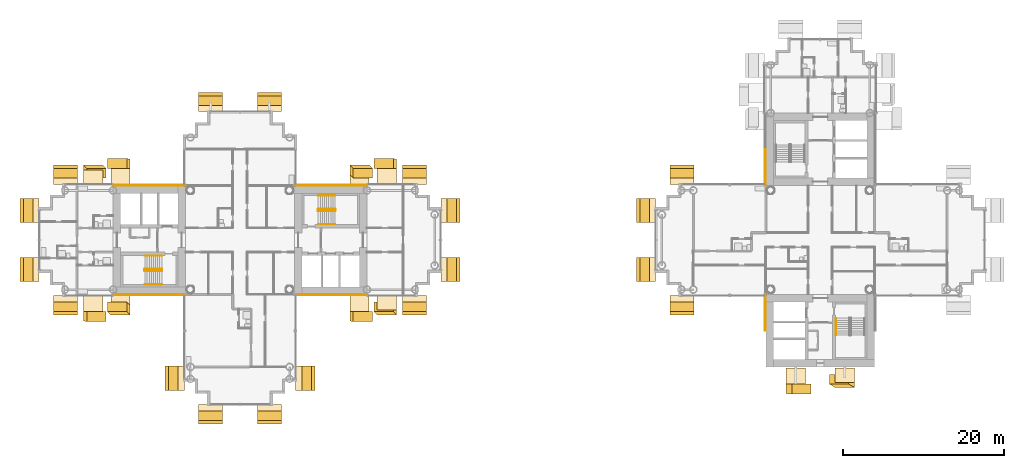
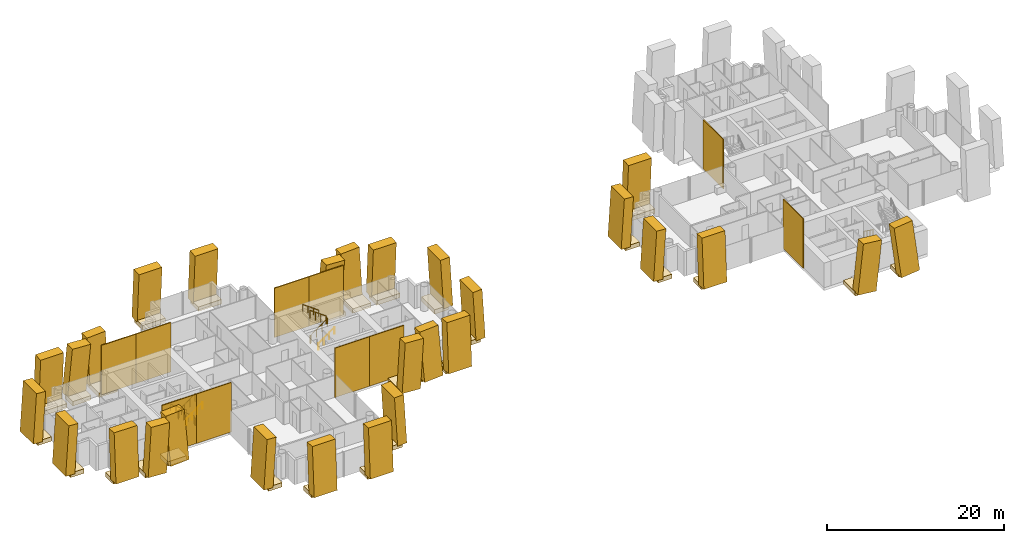
# One storey, part 19 of 21: 66 coverings, 7 railings.
"""IFC4 building model written with IfcOpenShell, lengths in metres."""

from ifc_helpers import new_model, si_unit, direction, frame, origin, origin_2d, place, context, subcontext, project, spatial, rectangle, circle, extrude, material, layer, layer_set, material_profile, profile_set, type_object, element, save


model = new_model("IFC4")

# Units and contexts
model_context = context("Model", 3, precision=1e-05, world=origin(), true_north=direction((0.0, 1.0)))
body_context = subcontext(model_context, "Body", "Model", "MODEL_VIEW")
ifc_project = project(units=[si_unit("LENGTHUNIT", "METRE"), si_unit("AREAUNIT", "SQUARE_METRE"), si_unit("VOLUMEUNIT", "CUBIC_METRE"), si_unit("PLANEANGLEUNIT", "RADIAN"), si_unit("MASSUNIT", "GRAM", prefix="KILO")], contexts=[model_context])

# Site, building, storey
site_placement = place(None, origin())
site = spatial("IfcSite", under=ifc_project, at=site_placement, CompositionType="ELEMENT")
building_placement = place(site_placement, origin())
building = spatial("IfcBuilding", under=site, at=building_placement, Name="Ipe Terrace Towers", CompositionType="ELEMENT")
storey_placement = place(building_placement, frame((0.0, 0.0, 80.0)))
storey = spatial("IfcBuildingStorey", under=building, at=storey_placement, Name="L21", CompositionType="ELEMENT", Elevation=80.0)

# Coverings
ifc_material_1 = material(Name="Concrete C50/60 precast, buff finish", Category="concrete")
ifc_layer = layer(ifc_material_1, 0.1201171875)
ifc_layer_set = layer_set([ifc_layer], Name="STONE CORE CLADDING 120")
covering_type_1 = type_object("IfcCoveringType", Name="STONE CORE CLADDING 120", PredefinedType="CLADDING", material=ifc_layer_set)
covering_1_placement = place(storey_placement, frame((-49.5009765625, -6.81005859375, 0.0), z_axis=(0.0, 0.0, 1.0), x_axis=(1.0, 0.0, 0.0)))
element("IfcCovering", 1, at=covering_1_placement, inside=storey, type_object=covering_type_1, Name="stone core cladding", PredefinedType="CLADDING", context=body_context, shape_type="SweptSolid", body=[
    extrude(rectangle(XDim=4.5009765625, YDim=0.1201171875, at=origin_2d()), origin(), (0.0, 0.0, 1.0), 6.800048828125),
])
covering_2_placement = place(storey_placement, frame((-45.0, -6.81005859375, 0.0), z_axis=(0.0, 0.0, 1.0), x_axis=(1.0, 0.0, 0.0)))
element("IfcCovering", 2, at=covering_2_placement, inside=storey, type_object=covering_type_1, Name="stone core cladding", PredefinedType="CLADDING", context=body_context, shape_type="SweptSolid", body=[
    extrude(rectangle(XDim=4.5, YDim=0.1201171875, at=origin_2d()), origin(), (0.0, 0.0, 1.0), 6.800048828125),
])
covering_3_placement = place(storey_placement, frame((-49.5009765625, 6.81005859375, 0.0), z_axis=(0.0, 0.0, 1.0), x_axis=(-1.0, 0.0, 0.0)))
element("IfcCovering", 3, at=covering_3_placement, inside=storey, type_object=covering_type_1, Name="stone core cladding", PredefinedType="CLADDING", context=body_context, shape_type="SweptSolid", body=[
    extrude(rectangle(XDim=4.5009765625, YDim=0.1201171875, at=origin_2d()), origin(), (0.0, 0.0, 1.0), 6.800048828125),
])
for number, where, z_axis, x_axis, name in (
    (4, (-45.0, 6.81005859375, 0.0), (0.0, 0.0, 1.0), (-1.0, 0.0, 0.0), "stone core cladding"),
    (5, (-27.0, -6.81005859375, 0.0), (0.0, 0.0, 1.0), (1.0, 0.0, 0.0), "stone core cladding"),
):
    element("IfcCovering", number, at=place(storey_placement, frame(where, z_axis=z_axis, x_axis=x_axis)), inside=storey, type_object=covering_type_1, Name=name, PredefinedType="CLADDING", context=body_context, shape_type="SweptSolid", body=[
        extrude(rectangle(XDim=4.5, YDim=0.1201171875, at=origin_2d()), origin(), (0.0, 0.0, 1.0), 6.800048828125),
    ])
covering_4_placement = place(storey_placement, frame((-22.4990234375, -6.81005859375, 0.0), z_axis=(0.0, 0.0, 1.0), x_axis=(1.0, 0.0, 0.0)))
element("IfcCovering", 6, at=covering_4_placement, inside=storey, type_object=covering_type_1, Name="stone core cladding", PredefinedType="CLADDING", context=body_context, shape_type="SweptSolid", body=[
    extrude(rectangle(XDim=4.5009765625, YDim=0.1201171875, at=origin_2d()), origin(), (0.0, 0.0, 1.0), 6.800048828125),
])
covering_5_placement = place(storey_placement, frame((-27.0, 6.81005859375, 0.0), z_axis=(0.0, 0.0, 1.0), x_axis=(-1.0, 0.0, 0.0)))
element("IfcCovering", 7, at=covering_5_placement, inside=storey, type_object=covering_type_1, Name="stone core cladding", PredefinedType="CLADDING", context=body_context, shape_type="SweptSolid", body=[
    extrude(rectangle(XDim=4.5, YDim=0.1201171875, at=origin_2d()), origin(), (0.0, 0.0, 1.0), 6.800048828125),
])
covering_6_placement = place(storey_placement, frame((-22.4990234375, 6.81005859375, 0.0), z_axis=(0.0, 0.0, 1.0), x_axis=(-1.0, 0.0, 0.0)))
element("IfcCovering", 8, at=covering_6_placement, inside=storey, type_object=covering_type_1, Name="stone core cladding", PredefinedType="CLADDING", context=body_context, shape_type="SweptSolid", body=[
    extrude(rectangle(XDim=4.5009765625, YDim=0.1201171875, at=origin_2d()), origin(), (0.0, 0.0, 1.0), 6.800048828125),
])
for number, where, z_axis, x_axis, name in (
    (9, (29.18994140625, -9.0, 0.0), (0.0, 0.0, 1.0), (0.0, -1.0, 0.0), "stone core cladding"),
    (10, (29.18994140625, 9.0, 0.0), (0.0, 0.0, 1.0), (0.0, -1.0, 0.0), "stone core cladding"),
):
    element("IfcCovering", number, at=place(storey_placement, frame(where, z_axis=z_axis, x_axis=x_axis)), inside=storey, type_object=covering_type_1, Name=name, PredefinedType="CLADDING", context=body_context, shape_type="SweptSolid", body=[
        extrude(rectangle(XDim=4.5, YDim=0.1201171875, at=origin_2d()), origin(), (0.0, 0.0, 1.0), 6.800048828125),
    ])
ifc_material_2 = material(Name="Concrete C50/60 precast, buff finish", Category="concrete")
ifc_material_profile_1 = material_profile(ifc_material_2, rectangle(XDim=2.39990234375, YDim=1.199951171875, at=origin_2d()), Name="STONE FIN 2400 x 1200")
ifc_profile_set_1 = profile_set([ifc_material_profile_1], Name="Concrete C50/60 precast, buff finish")
covering_type_2 = type_object("IfcCoveringType", Name="STONE FIN 2400 x 1200", PredefinedType="USERDEFINED", material=ifc_profile_set_1)
covering_7_placement = place(storey_placement, frame((-21.1640625, -9.47509765625, 0.0), z_axis=(0.057992818801, -0.00189964116, 0.998315192878), x_axis=(0.99831700024, 0.000110351273, -0.057992713811)))
element("IfcCovering", 11, at=covering_7_placement, inside=storey, type_object=covering_type_2, Name="stone fin", ObjectType="FIN", PredefinedType="USERDEFINED", context=body_context, shape_type="SweptSolid", body=[
    extrude(rectangle(XDim=2.39990234375, YDim=1.199951171875, at=origin_2d()), origin(), (0.0, 0.0, 1.0), 6.8115234375),
])
for number, where, z_axis, x_axis, name in (
    (12, (-21.1640625, 8.701904296875, 0.0), (0.057886195725, -0.060640977599, 0.996479733954), (-0.998323188324, -0.003516171448, 0.057779305931), "stone fin"),
    (13, (-17.785888671875, -8.701904296875, 0.0), (-0.057886195725, 0.060640977599, 0.996479733954), (0.998323188324, 0.003516171448, 0.057779305931), "stone fin"),
):
    element("IfcCovering", number, at=place(storey_placement, frame(where, z_axis=z_axis, x_axis=x_axis)), inside=storey, type_object=covering_type_2, Name=name, ObjectType="FIN", PredefinedType="USERDEFINED", context=body_context, shape_type="SweptSolid", body=[
        extrude(rectangle(XDim=2.39990234375, YDim=1.199951171875, at=origin_2d()), origin(), (0.0, 0.0, 1.0), 6.823974609375),
    ])
for number, where, z_axis, x_axis, name in (
    (14, (-17.785888671875, 9.47509765625, 0.0), (-0.057992818801, 0.00189964116, 0.998315192878), (-0.99831700024, -0.000110351273, -0.057992713811), "stone fin"),
    (15, (-54.214111328125, -9.47509765625, 0.0), (0.057992818801, -0.00189964116, 0.998315192878), (0.99831700024, 0.000110351273, -0.057992713811), "stone fin"),
):
    element("IfcCovering", number, at=place(storey_placement, frame(where, z_axis=z_axis, x_axis=x_axis)), inside=storey, type_object=covering_type_2, Name=name, ObjectType="FIN", PredefinedType="USERDEFINED", context=body_context, shape_type="SweptSolid", body=[
        extrude(rectangle(XDim=2.39990234375, YDim=1.199951171875, at=origin_2d()), origin(), (0.0, 0.0, 1.0), 6.8115234375),
    ])
for number, where, z_axis, x_axis, name in (
    (16, (-54.214111328125, 8.701904296875, 0.0), (0.057886195725, -0.060640977599, 0.996479733954), (-0.998323188324, -0.003516171448, 0.057779305931), "stone fin"),
    (17, (-50.8359375, -8.701904296875, 0.0), (-0.057886195725, 0.060640977599, 0.996479733954), (0.998323188324, 0.003516171448, 0.057779305931), "stone fin"),
):
    element("IfcCovering", number, at=place(storey_placement, frame(where, z_axis=z_axis, x_axis=x_axis)), inside=storey, type_object=covering_type_2, Name=name, ObjectType="FIN", PredefinedType="USERDEFINED", context=body_context, shape_type="SweptSolid", body=[
        extrude(rectangle(XDim=2.39990234375, YDim=1.199951171875, at=origin_2d()), origin(), (0.0, 0.0, 1.0), 6.823974609375),
    ])
covering_8_placement = place(storey_placement, frame((-50.8359375, 9.47509765625, 0.0), z_axis=(-0.057992818801, 0.00189964116, 0.998315192878), x_axis=(-0.99831700024, -0.000110351273, -0.057992713811)))
element("IfcCovering", 18, at=covering_8_placement, inside=storey, type_object=covering_type_2, Name="stone fin", ObjectType="FIN", PredefinedType="USERDEFINED", context=body_context, shape_type="SweptSolid", body=[
    extrude(rectangle(XDim=2.39990234375, YDim=1.199951171875, at=origin_2d()), origin(), (0.0, 0.0, 1.0), 6.8115234375),
])
covering_9_placement = place(storey_placement, frame((39.053955078125, -17.701904296875, 0.0), z_axis=(-0.104215280631, 0.060412072732, 0.992718266555), x_axis=(0.994554762335, 0.006330331276, 0.104022841832)))
element("IfcCovering", 19, at=covering_9_placement, inside=storey, type_object=covering_type_2, Name="stone fin", ObjectType="FIN", PredefinedType="USERDEFINED", context=body_context, shape_type="SweptSolid", body=[
    extrude(rectangle(XDim=2.39990234375, YDim=1.199951171875, at=origin_2d()), origin(), (0.0, 0.0, 1.0), 6.849853515625),
])
covering_10_placement = place(storey_placement, frame((32.946044921875, -18.47509765625, 0.0), z_axis=(0.104405788816, -0.001892444189, 0.994532980809), x_axis=(0.994534781323, 0.000198667893, -0.104405599799)))
element("IfcCovering", 20, at=covering_10_placement, inside=storey, type_object=covering_type_2, Name="stone fin", ObjectType="FIN", PredefinedType="USERDEFINED", context=body_context, shape_type="SweptSolid", body=[
    extrude(rectangle(XDim=2.39990234375, YDim=1.199951171875, at=origin_2d()), origin(), (0.0, 0.0, 1.0), 6.83740234375),
])
ifc_material_3 = material(Name="Concrete C50/60 precast, buff finish", Category="concrete")
ifc_material_profile_2 = material_profile(ifc_material_3, rectangle(XDim=3.0, YDim=1.199951171875, at=origin_2d()), Name="STONE FIN CORNER 3000 x 1200")
ifc_profile_set_2 = profile_set([ifc_material_profile_2], Name="Concrete C50/60 precast, buff finish")
covering_type_3 = type_object("IfcCoveringType", Name="STONE FIN CORNER 3000 x 1200", PredefinedType="USERDEFINED", material=ifc_profile_set_2)
for number, where, z_axis, x_axis, name in (
    (21, (-9.298095703125, -3.64990234375, 0.0), (-0.060742831888, 0.0, 0.998153449312), (0.0, 1.0, 0.0), "stone fin"),
    (22, (-9.298095703125, 3.64990234375, 0.0), (-0.060742831888, 0.0, 0.998153449312), (0.0, 1.0, 0.0), "stone fin"),
    (23, (-14.35009765625, -8.701904296875, 0.0), (0.0, 0.060742831888, 0.998153449312), (1.0, 0.0, 0.0), "stone fin"),
    (24, (-14.35009765625, 8.701904296875, 0.0), (0.0, -0.060742831888, 0.998153449312), (-1.0, 0.0, 0.0), "stone fin"),
    (25, (-27.298095703125, -17.14990234375, 0.0), (-0.060742831888, 0.0, 0.998153449312), (0.0, 1.0, 0.0), "stone fin"),
    (26, (-32.35009765625, -22.201904296875, 0.0), (0.0, 0.060742831888, 0.998153449312), (1.0, 0.0, 0.0), "stone fin"),
    (27, (-32.35009765625, 17.701904296875, 0.0), (0.0, -0.060742831888, 0.998153449312), (-1.0, 0.0, 0.0), "stone fin"),
    (28, (-39.64990234375, -22.201904296875, 0.0), (0.0, 0.060742831888, 0.998153449312), (1.0, 0.0, 0.0), "stone fin"),
    (29, (-39.64990234375, 17.701904296875, 0.0), (0.0, -0.060742831888, 0.998153449312), (-1.0, 0.0, 0.0), "stone fin"),
    (30, (-44.701904296875, -17.14990234375, 0.0), (0.060742831888, 0.0, 0.998153449312), (0.0, -1.0, 0.0), "stone fin"),
    (31, (-57.64990234375, -8.701904296875, 0.0), (0.0, 0.060742831888, 0.998153449312), (1.0, 0.0, 0.0), "stone fin"),
    (32, (-57.64990234375, 8.701904296875, 0.0), (0.0, -0.060742831888, 0.998153449312), (-1.0, 0.0, 0.0), "stone fin"),
    (33, (-62.701904296875, -3.64990234375, 0.0), (0.060742831888, 0.0, 0.998153449312), (0.0, -1.0, 0.0), "stone fin"),
    (34, (-62.701904296875, 3.64990234375, 0.0), (0.060742831888, 0.0, 0.998153449312), (0.0, -1.0, 0.0), "stone fin"),
    (35, (13.798095703125, -3.64990234375, 0.0), (0.060742831888, 0.0, 0.998153449312), (0.0, -1.0, 0.0), "stone fin"),
    (36, (13.798095703125, 3.64990234375, 0.0), (0.060742831888, 0.0, 0.998153449312), (0.0, -1.0, 0.0), "stone fin"),
    (37, (18.85009765625, -8.701904296875, 0.0), (0.0, 0.060742831888, 0.998153449312), (1.0, 0.0, 0.0), "stone fin"),
    (38, (18.85009765625, 8.701904296875, 0.0), (0.0, -0.060742831888, 0.998153449312), (-1.0, 0.0, 0.0), "stone fin"),
):
    element("IfcCovering", number, at=place(storey_placement, frame(where, z_axis=z_axis, x_axis=x_axis)), inside=storey, type_object=covering_type_3, Name=name, ObjectType="FIN", PredefinedType="USERDEFINED", context=body_context, shape_type="SweptSolid", body=[
        extrude(rectangle(XDim=3.0, YDim=1.199951171875, at=origin_2d()), origin(), (0.0, 0.0, 1.0), 6.812744140625),
    ])
ifc_material_4 = material(Name="Concrete C50/60 precast, buff finish", Category="concrete")
covering_type_4 = type_object("IfcCoveringType", Name="STONE FIN SHELF 2400 x 600", PredefinedType="CLADDING", material=ifc_material_4)
covering_11_placement = place(storey_placement, frame((-21.1640625, -8.16796875, -0.35009765625), z_axis=(0.0, 0.0, 1.0), x_axis=(1.0, 0.0, 0.0)))
element("IfcCovering", 39, at=covering_11_placement, inside=storey, type_object=covering_type_4, Name="stone fin shelf", PredefinedType="CLADDING", context=body_context, shape_type="SweptSolid", body=[
    extrude(rectangle(XDim=2.39990234375, YDim=2.614990234375, at=origin_2d()), origin(), (0.0, 0.0, 1.0), 0.60009765625),
])
covering_12_placement = place(storey_placement, frame((-21.1640625, 7.781005859375, -0.35009765625), z_axis=(0.0, 0.0, 1.0), x_axis=(-1.0, 0.0, 0.0)))
element("IfcCovering", 40, at=covering_12_placement, inside=storey, type_object=covering_type_4, Name="stone fin shelf", PredefinedType="CLADDING", context=body_context, shape_type="SweptSolid", body=[
    extrude(rectangle(XDim=2.39990234375, YDim=1.842041015625, at=origin_2d()), origin(), (0.0, 0.0, 1.0), 0.60009765625),
])
covering_13_placement = place(storey_placement, frame((-17.785888671875, -7.80908203125, -0.35009765625), z_axis=(0.0, 0.0, 1.0), x_axis=(1.0, 0.0, 0.0)))
element("IfcCovering", 41, at=covering_13_placement, inside=storey, type_object=covering_type_4, Name="stone fin shelf", PredefinedType="CLADDING", context=body_context, shape_type="SweptSolid", body=[
    extrude(rectangle(XDim=2.39990234375, YDim=1.785888671875, at=origin_2d()), origin(), (0.0, 0.0, 1.0), 0.60009765625),
])
for number, where, z_axis, x_axis, name in (
    (42, (-17.785888671875, 8.195068359375, -0.35009765625), (0.0, 0.0, 1.0), (-1.0, 0.0, 0.0), "stone fin shelf"),
    (43, (-54.214111328125, -8.195068359375, -0.35009765625), (0.0, 0.0, 1.0), (1.0, 0.0, 0.0), "stone fin shelf"),
):
    element("IfcCovering", number, at=place(storey_placement, frame(where, z_axis=z_axis, x_axis=x_axis)), inside=storey, type_object=covering_type_4, Name=name, PredefinedType="CLADDING", context=body_context, shape_type="SweptSolid", body=[
        extrude(rectangle(XDim=2.39990234375, YDim=2.55908203125, at=origin_2d()), origin(), (0.0, 0.0, 1.0), 0.60009765625),
    ])
covering_14_placement = place(storey_placement, frame((-54.214111328125, 7.80908203125, -0.35009765625), z_axis=(0.0, 0.0, 1.0), x_axis=(-1.0, 0.0, 0.0)))
element("IfcCovering", 44, at=covering_14_placement, inside=storey, type_object=covering_type_4, Name="stone fin shelf", PredefinedType="CLADDING", context=body_context, shape_type="SweptSolid", body=[
    extrude(rectangle(XDim=2.39990234375, YDim=1.785888671875, at=origin_2d()), origin(), (0.0, 0.0, 1.0), 0.60009765625),
])
covering_15_placement = place(storey_placement, frame((-50.8359375, -7.781005859375, -0.35009765625), z_axis=(0.0, 0.0, 1.0), x_axis=(1.0, 0.0, 0.0)))
element("IfcCovering", 45, at=covering_15_placement, inside=storey, type_object=covering_type_4, Name="stone fin shelf", PredefinedType="CLADDING", context=body_context, shape_type="SweptSolid", body=[
    extrude(rectangle(XDim=2.39990234375, YDim=1.842041015625, at=origin_2d()), origin(), (0.0, 0.0, 1.0), 0.60009765625),
])
covering_16_placement = place(storey_placement, frame((-50.8359375, 8.16796875, -0.35009765625), z_axis=(0.0, 0.0, 1.0), x_axis=(-1.0, 0.0, 0.0)))
element("IfcCovering", 46, at=covering_16_placement, inside=storey, type_object=covering_type_4, Name="stone fin shelf", PredefinedType="CLADDING", context=body_context, shape_type="SweptSolid", body=[
    extrude(rectangle(XDim=2.39990234375, YDim=2.614990234375, at=origin_2d()), origin(), (0.0, 0.0, 1.0), 0.60009765625),
])
covering_17_placement = place(storey_placement, frame((39.053955078125, -16.781005859375, -0.35009765625), z_axis=(0.0, 0.0, 1.0), x_axis=(1.0, 0.0, 0.0)))
element("IfcCovering", 47, at=covering_17_placement, inside=storey, type_object=covering_type_4, Name="stone fin shelf", PredefinedType="CLADDING", context=body_context, shape_type="SweptSolid", body=[
    extrude(rectangle(XDim=2.39990234375, YDim=1.842041015625, at=origin_2d()), origin(), (0.0, 0.0, 1.0), 0.60009765625),
])
covering_18_placement = place(storey_placement, frame((32.946044921875, -17.16796875, -0.35009765625), z_axis=(0.0, 0.0, 1.0), x_axis=(1.0, 0.0, 0.0)))
element("IfcCovering", 48, at=covering_18_placement, inside=storey, type_object=covering_type_4, Name="stone fin shelf", PredefinedType="CLADDING", context=body_context, shape_type="SweptSolid", body=[
    extrude(rectangle(XDim=2.39990234375, YDim=2.614990234375, at=origin_2d()), origin(), (0.0, 0.0, 1.0), 0.60009765625),
])
ifc_material_5 = material(Name="Concrete C50/60 precast, buff finish", Category="concrete")
covering_type_5 = type_object("IfcCoveringType", Name="STONE FIN SHELF 3000 x 600", PredefinedType="CLADDING", material=ifc_material_5)
for number, where, z_axis, x_axis, name in (
    (49, (-10.19091796875, -3.64990234375, -0.35009765625), (0.0, 0.0, 1.0), (0.0, 1.0, 0.0), "stone fin shelf"),
    (50, (-10.19091796875, 3.64990234375, -0.35009765625), (0.0, 0.0, 1.0), (0.0, 1.0, 0.0), "stone fin shelf"),
    (51, (-14.35009765625, -7.80908203125, -0.35009765625), (0.0, 0.0, 1.0), (1.0, 0.0, 0.0), "stone fin shelf"),
    (52, (-14.35009765625, 7.80908203125, -0.35009765625), (0.0, 0.0, 1.0), (-1.0, 0.0, 0.0), "stone fin shelf"),
    (53, (-28.19091796875, -17.14990234375, -0.35009765625), (0.0, 0.0, 1.0), (0.0, 1.0, 0.0), "stone fin shelf"),
    (54, (-32.35009765625, -21.30908203125, -0.35009765625), (0.0, 0.0, 1.0), (1.0, 0.0, 0.0), "stone fin shelf"),
    (55, (-32.35009765625, 16.80908203125, -0.35009765625), (0.0, 0.0, 1.0), (-1.0, 0.0, 0.0), "stone fin shelf"),
    (56, (-39.64990234375, -21.30908203125, -0.35009765625), (0.0, 0.0, 1.0), (1.0, 0.0, 0.0), "stone fin shelf"),
    (57, (-39.64990234375, 16.80908203125, -0.35009765625), (0.0, 0.0, 1.0), (-1.0, 0.0, 0.0), "stone fin shelf"),
    (58, (-43.80908203125, -17.14990234375, -0.35009765625), (0.0, 0.0, 1.0), (0.0, -1.0, 0.0), "stone fin shelf"),
    (59, (-57.64990234375, -7.80908203125, -0.35009765625), (0.0, 0.0, 1.0), (1.0, 0.0, 0.0), "stone fin shelf"),
    (60, (-57.64990234375, 7.80908203125, -0.35009765625), (0.0, 0.0, 1.0), (-1.0, 0.0, 0.0), "stone fin shelf"),
    (61, (-61.80908203125, -3.64990234375, -0.35009765625), (0.0, 0.0, 1.0), (0.0, -1.0, 0.0), "stone fin shelf"),
    (62, (-61.80908203125, 3.64990234375, -0.35009765625), (0.0, 0.0, 1.0), (0.0, -1.0, 0.0), "stone fin shelf"),
    (63, (14.69091796875, -3.64990234375, -0.35009765625), (0.0, 0.0, 1.0), (0.0, -1.0, 0.0), "stone fin shelf"),
    (64, (14.69091796875, 3.64990234375, -0.35009765625), (0.0, 0.0, 1.0), (0.0, -1.0, 0.0), "stone fin shelf"),
    (65, (18.85009765625, -7.80908203125, -0.35009765625), (0.0, 0.0, 1.0), (1.0, 0.0, 0.0), "stone fin shelf"),
    (66, (18.85009765625, 7.80908203125, -0.35009765625), (0.0, 0.0, 1.0), (-1.0, 0.0, 0.0), "stone fin shelf"),
):
    element("IfcCovering", number, at=place(storey_placement, frame(where, z_axis=z_axis, x_axis=x_axis)), inside=storey, type_object=covering_type_5, Name=name, PredefinedType="CLADDING", context=body_context, shape_type="SweptSolid", body=[
        extrude(rectangle(XDim=3.0, YDim=1.785888671875, at=origin_2d()), origin(), (0.0, 0.0, 1.0), 0.60009765625),
    ])

# Railings
ifc_material_6 = material(Name="Steel S355", Category="steel")
railing_type_1 = type_object("IfcRailingType", Name="Stair guard 1100", PredefinedType="GUARDRAIL", material=ifc_material_6)
railing_1_placement = place(storey_placement, frame((-26.35009765625, 3.800048828125, 0.0)))
element("IfcRailing", 67, at=railing_1_placement, inside=storey, type_object=railing_type_1, Name="L21 T1-ST1 stair guard 1", PredefinedType="GUARDRAIL", context=body_context, shape_type="SweptSolid", body=[
    extrude(circle(Radius=0.02392578125, at=origin_2d()), frame((0.0, 0.0, 1.076171875), z_axis=(0.0, -1.0, 0.0), x_axis=(1.0, 0.0, 0.0)), (0.0, 0.0, 1.0), 0.150146484375),
    extrude(circle(Radius=0.02392578125, at=origin_2d()), frame((0.0, -0.150146484375, 1.076171875), z_axis=(0.248103849378, -0.246893586699, 0.936743314239), x_axis=(0.705375805398, 0.708833529934, 0.0)), (0.0, 0.0, 1.0), 0.20166015625),
    extrude(circle(Radius=0.02392578125, at=origin_2d()), frame((0.050048828125, -0.199951171875, 1.26513671875), z_axis=(0.809068575486, 0.0, 0.587714250432), x_axis=(0.0, 1.0, 0.0)), (0.0, 0.0, 1.0), 2.571044921875),
    extrude(circle(Radius=0.02392578125, at=origin_2d()), frame((2.130126953125, -0.199951171875, 2.77587890625), z_axis=(0.708833529934, 0.705375805398, 0.0), x_axis=(-0.705375805398, 0.708833529934, 0.0)), (0.0, 0.0, 1.0), 0.070556640625),
    extrude(circle(Radius=0.02392578125, at=origin_2d()), frame((2.18017578125, -0.150146484375, 2.77587890625), z_axis=(0.0, 1.0, 0.0), x_axis=(-1.0, 0.0, 0.0)), (0.0, 0.0, 1.0), 0.150146484375),
    extrude(circle(Radius=0.02392578125, at=origin_2d()), frame((2.18017578125, 0.0, 2.77587890625), z_axis=(-0.248029566107, 0.248029566107, 0.936462849596), x_axis=(-0.707106781187, -0.707106781187, 0.0)), (0.0, 0.0, 1.0), 0.201904296875),
    extrude(circle(Radius=0.02392578125, at=origin_2d()), frame((2.130126953125, 0.050048828125, 2.96484375), z_axis=(-0.809068575486, 0.0, 0.587714250432), x_axis=(0.0, -1.0, 0.0)), (0.0, 0.0, 1.0), 2.571044921875),
    extrude(circle(Radius=0.02099609375, at=origin_2d()), origin(), (0.0, 0.0, 1.0), 1.052001953125),
    extrude(circle(Radius=0.02099609375, at=origin_2d()), frame((0.0, -0.150146484375, 0.0)), (0.0, 0.0, 1.0), 1.052001953125),
    extrude(circle(Radius=0.02099609375, at=origin_2d()), frame((0.050048828125, -0.199951171875, 0.18896484375)), (0.0, 0.0, 1.0), 1.052001953125),
    extrude(circle(Radius=0.02099609375, at=origin_2d()), frame((0.743408203125, -0.199951171875, 0.692626953125)), (0.0, 0.0, 1.0), 1.052001953125),
    extrude(circle(Radius=0.02099609375, at=origin_2d()), frame((1.436767578125, -0.199951171875, 1.1962890625)), (0.0, 0.0, 1.0), 1.052001953125),
    extrude(circle(Radius=0.02099609375, at=origin_2d()), frame((2.130126953125, -0.199951171875, 1.699951171875)), (0.0, 0.0, 1.0), 1.052001953125),
    extrude(circle(Radius=0.02099609375, at=origin_2d()), frame((2.18017578125, -0.150146484375, 1.699951171875)), (0.0, 0.0, 1.0), 1.052001953125),
    extrude(circle(Radius=0.02099609375, at=origin_2d()), frame((2.18017578125, 0.0, 1.699951171875)), (0.0, 0.0, 1.0), 1.052001953125),
    extrude(circle(Radius=0.02099609375, at=origin_2d()), frame((2.130126953125, 0.050048828125, 1.888916015625)), (0.0, 0.0, 1.0), 1.052001953125),
    extrude(circle(Radius=0.02099609375, at=origin_2d()), frame((1.436767578125, 0.050048828125, 2.392578125)), (0.0, 0.0, 1.0), 1.052001953125),
    extrude(circle(Radius=0.02099609375, at=origin_2d()), frame((0.743408203125, 0.050048828125, 2.896240234375)), (0.0, 0.0, 1.0), 1.052001953125),
    extrude(circle(Radius=0.02099609375, at=origin_2d()), frame((0.050048828125, 0.050048828125, 3.39990234375)), (0.0, 0.0, 1.0), 1.052001953125),
])
railing_2_placement = place(storey_placement, frame((-45.64990234375, -3.800048828125, 0.0)))
element("IfcRailing", 68, at=railing_2_placement, inside=storey, type_object=railing_type_1, Name="L21 T1-ST2 stair guard 1", PredefinedType="GUARDRAIL", context=body_context, shape_type="SweptSolid", body=[
    extrude(circle(Radius=0.02392578125, at=origin_2d()), frame((0.0, 0.0, 1.076171875), z_axis=(0.0, 1.0, 0.0), x_axis=(-1.0, 0.0, 0.0)), (0.0, 0.0, 1.0), 0.150146484375),
    extrude(circle(Radius=0.02392578125, at=origin_2d()), frame((0.0, 0.150146484375, 1.076171875), z_axis=(-0.248103849378, 0.246893586699, 0.936743314239), x_axis=(-0.705375805398, -0.708833529934, 0.0)), (0.0, 0.0, 1.0), 0.20166015625),
    extrude(circle(Radius=0.02392578125, at=origin_2d()), frame((-0.050048828125, 0.199951171875, 1.26513671875), z_axis=(-0.809068575486, 0.0, 0.587714250432), x_axis=(0.0, -1.0, 0.0)), (0.0, 0.0, 1.0), 2.571044921875),
    extrude(circle(Radius=0.02392578125, at=origin_2d()), frame((-2.130126953125, 0.199951171875, 2.77587890625), z_axis=(-0.708833529934, -0.705375805398, 0.0), x_axis=(0.705375805398, -0.708833529934, 0.0)), (0.0, 0.0, 1.0), 0.070556640625),
    extrude(circle(Radius=0.02392578125, at=origin_2d()), frame((-2.18017578125, 0.150146484375, 2.77587890625), z_axis=(0.0, -1.0, 0.0), x_axis=(1.0, 0.0, 0.0)), (0.0, 0.0, 1.0), 0.150146484375),
    extrude(circle(Radius=0.02392578125, at=origin_2d()), frame((-2.18017578125, 0.0, 2.77587890625), z_axis=(0.248029566107, -0.248029566107, 0.936462849596), x_axis=(0.707106781187, 0.707106781187, 0.0)), (0.0, 0.0, 1.0), 0.201904296875),
    extrude(circle(Radius=0.02392578125, at=origin_2d()), frame((-2.130126953125, -0.050048828125, 2.96484375), z_axis=(0.809068575486, 0.0, 0.587714250432), x_axis=(0.0, 1.0, 0.0)), (0.0, 0.0, 1.0), 2.571044921875),
    extrude(circle(Radius=0.02099609375, at=origin_2d()), origin(), (0.0, 0.0, 1.0), 1.052001953125),
    extrude(circle(Radius=0.02099609375, at=origin_2d()), frame((0.0, 0.150146484375, 0.0)), (0.0, 0.0, 1.0), 1.052001953125),
    extrude(circle(Radius=0.02099609375, at=origin_2d()), frame((-0.050048828125, 0.199951171875, 0.18896484375)), (0.0, 0.0, 1.0), 1.052001953125),
    extrude(circle(Radius=0.02099609375, at=origin_2d()), frame((-0.743408203125, 0.199951171875, 0.692626953125)), (0.0, 0.0, 1.0), 1.052001953125),
    extrude(circle(Radius=0.02099609375, at=origin_2d()), frame((-1.436767578125, 0.199951171875, 1.1962890625)), (0.0, 0.0, 1.0), 1.052001953125),
    extrude(circle(Radius=0.02099609375, at=origin_2d()), frame((-2.130126953125, 0.199951171875, 1.699951171875)), (0.0, 0.0, 1.0), 1.052001953125),
    extrude(circle(Radius=0.02099609375, at=origin_2d()), frame((-2.18017578125, 0.150146484375, 1.699951171875)), (0.0, 0.0, 1.0), 1.052001953125),
    extrude(circle(Radius=0.02099609375, at=origin_2d()), frame((-2.18017578125, 0.0, 1.699951171875)), (0.0, 0.0, 1.0), 1.052001953125),
    extrude(circle(Radius=0.02099609375, at=origin_2d()), frame((-2.130126953125, -0.050048828125, 1.888916015625)), (0.0, 0.0, 1.0), 1.052001953125),
    extrude(circle(Radius=0.02099609375, at=origin_2d()), frame((-1.436767578125, -0.050048828125, 2.392578125)), (0.0, 0.0, 1.0), 1.052001953125),
    extrude(circle(Radius=0.02099609375, at=origin_2d()), frame((-0.743408203125, -0.050048828125, 2.896240234375)), (0.0, 0.0, 1.0), 1.052001953125),
    extrude(circle(Radius=0.02099609375, at=origin_2d()), frame((-0.050048828125, -0.050048828125, 3.39990234375)), (0.0, 0.0, 1.0), 1.052001953125),
])
ifc_material_7 = material(Name="Stainless steel grade 304", Category="steel")
railing_type_2 = type_object("IfcRailingType", Name="Stair handrail 900", PredefinedType="HANDRAIL", material=ifc_material_7)
railing_3_placement = place(storey_placement, frame((-26.300048828125, 1.949951171875, 0.18896484375)))
element("IfcRailing", 69, at=railing_3_placement, inside=storey, type_object=railing_type_2, Name="L21 T1-ST1 stair handrail 1", PredefinedType="HANDRAIL", context=body_context, shape_type="SweptSolid", body=[
    extrude(circle(Radius=0.02392578125, at=origin_2d()), frame((0.0, 0.0, 0.8759765625), z_axis=(0.809068575486, 0.0, 0.587714250432), x_axis=(0.0, 1.0, 0.0)), (0.0, 0.0, 1.0), 2.571044921875),
    extrude(circle(Radius=0.02099609375, at=origin_2d()), origin(), (0.0, 0.0, 1.0), 0.851806640625),
    extrude(circle(Radius=0.02099609375, at=origin_2d()), frame((0.693359375, 0.0, 0.503662109375)), (0.0, 0.0, 1.0), 0.851806640625),
    extrude(circle(Radius=0.02099609375, at=origin_2d()), frame((1.38671875, 0.0, 1.00732421875)), (0.0, 0.0, 1.0), 0.851806640625),
    extrude(circle(Radius=0.02099609375, at=origin_2d()), frame((2.080078125, 0.0, 1.510986328125)), (0.0, 0.0, 1.0), 0.851806640625),
])
for number, where, name in (
    (70, (-24.219970703125, 5.5, 1.888916015625), "L21 T1-ST1 stair handrail 2"),
    (71, (-45.699951171875, -1.949951171875, 0.18896484375), "L21 T1-ST2 stair handrail 1"),
):
    element("IfcRailing", number, at=place(storey_placement, frame(where)), inside=storey, type_object=railing_type_2, Name=name, PredefinedType="HANDRAIL", context=body_context, shape_type="SweptSolid", body=[
        extrude(circle(Radius=0.02392578125, at=origin_2d()), frame((0.0, 0.0, 0.8759765625), z_axis=(-0.809068575486, 0.0, 0.587714250432), x_axis=(0.0, -1.0, 0.0)), (0.0, 0.0, 1.0), 2.571044921875),
        extrude(circle(Radius=0.02099609375, at=origin_2d()), origin(), (0.0, 0.0, 1.0), 0.851806640625),
        extrude(circle(Radius=0.02099609375, at=origin_2d()), frame((-0.693359375, 0.0, 0.503662109375)), (0.0, 0.0, 1.0), 0.851806640625),
        extrude(circle(Radius=0.02099609375, at=origin_2d()), frame((-1.38671875, 0.0, 1.00732421875)), (0.0, 0.0, 1.0), 0.851806640625),
        extrude(circle(Radius=0.02099609375, at=origin_2d()), frame((-2.080078125, 0.0, 1.510986328125)), (0.0, 0.0, 1.0), 0.851806640625),
    ])
railing_4_placement = place(storey_placement, frame((-47.780029296875, -5.5, 1.888916015625)))
element("IfcRailing", 72, at=railing_4_placement, inside=storey, type_object=railing_type_2, Name="L21 T1-ST2 stair handrail 2", PredefinedType="HANDRAIL", context=body_context, shape_type="SweptSolid", body=[
    extrude(circle(Radius=0.02392578125, at=origin_2d()), frame((0.0, 0.0, 0.8759765625), z_axis=(0.809068575486, 0.0, 0.587714250432), x_axis=(0.0, 1.0, 0.0)), (0.0, 0.0, 1.0), 2.571044921875),
    extrude(circle(Radius=0.02099609375, at=origin_2d()), origin(), (0.0, 0.0, 1.0), 0.851806640625),
    extrude(circle(Radius=0.02099609375, at=origin_2d()), frame((0.693359375, 0.0, 0.503662109375)), (0.0, 0.0, 1.0), 0.851806640625),
    extrude(circle(Radius=0.02099609375, at=origin_2d()), frame((1.38671875, 0.0, 1.00732421875)), (0.0, 0.0, 1.0), 0.851806640625),
    extrude(circle(Radius=0.02099609375, at=origin_2d()), frame((2.080078125, 0.0, 1.510986328125)), (0.0, 0.0, 1.0), 0.851806640625),
])
railing_5_placement = place(storey_placement, frame((37.949951171875, -9.699951171875, 0.18896484375)))
element("IfcRailing", 73, at=railing_5_placement, inside=storey, type_object=railing_type_2, Name="L21 T2-ST2 stair handrail 1", PredefinedType="HANDRAIL", context=body_context, shape_type="SweptSolid", body=[
    extrude(circle(Radius=0.02392578125, at=origin_2d()), frame((0.0, 0.0, 0.8759765625), z_axis=(0.0, -0.809068575486, 0.587714250432), x_axis=(1.0, 0.0, 0.0)), (0.0, 0.0, 1.0), 2.571044921875),
    extrude(circle(Radius=0.02099609375, at=origin_2d()), origin(), (0.0, 0.0, 1.0), 0.851806640625),
    extrude(circle(Radius=0.02099609375, at=origin_2d()), frame((0.0, -0.693359375, 0.503662109375)), (0.0, 0.0, 1.0), 0.851806640625),
    extrude(circle(Radius=0.02099609375, at=origin_2d()), frame((0.0, -1.38671875, 1.00732421875)), (0.0, 0.0, 1.0), 0.851806640625),
    extrude(circle(Radius=0.02099609375, at=origin_2d()), frame((0.0, -2.080078125, 1.510986328125)), (0.0, 0.0, 1.0), 0.851806640625),
])

save(model, "model.ifc")
